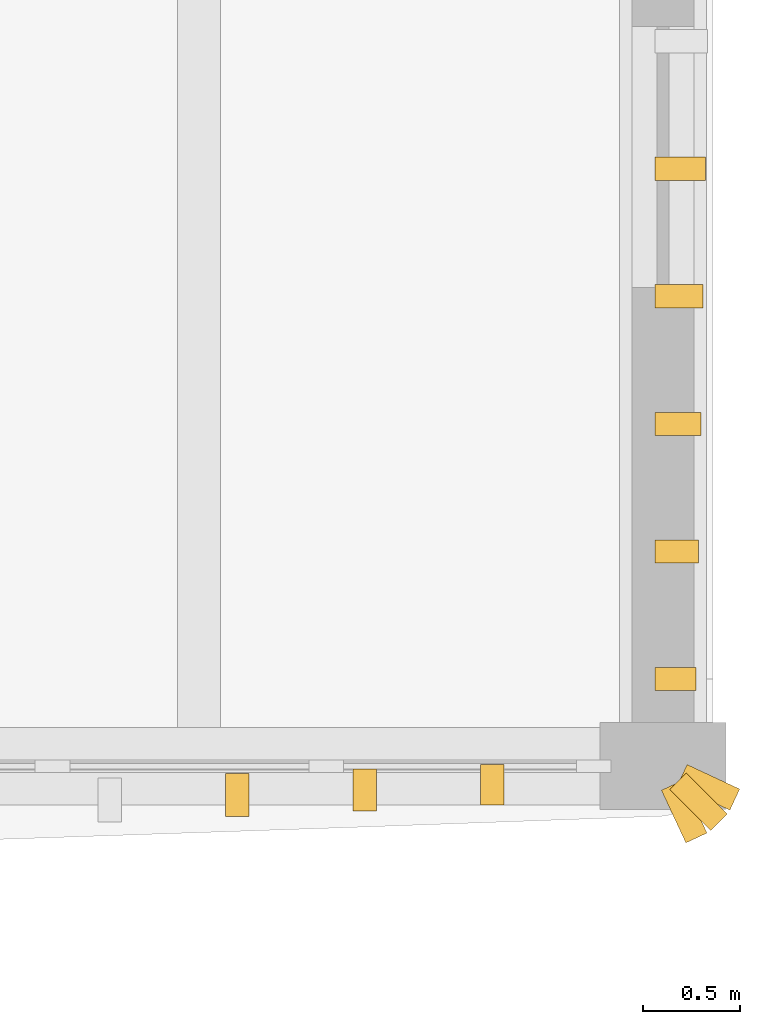
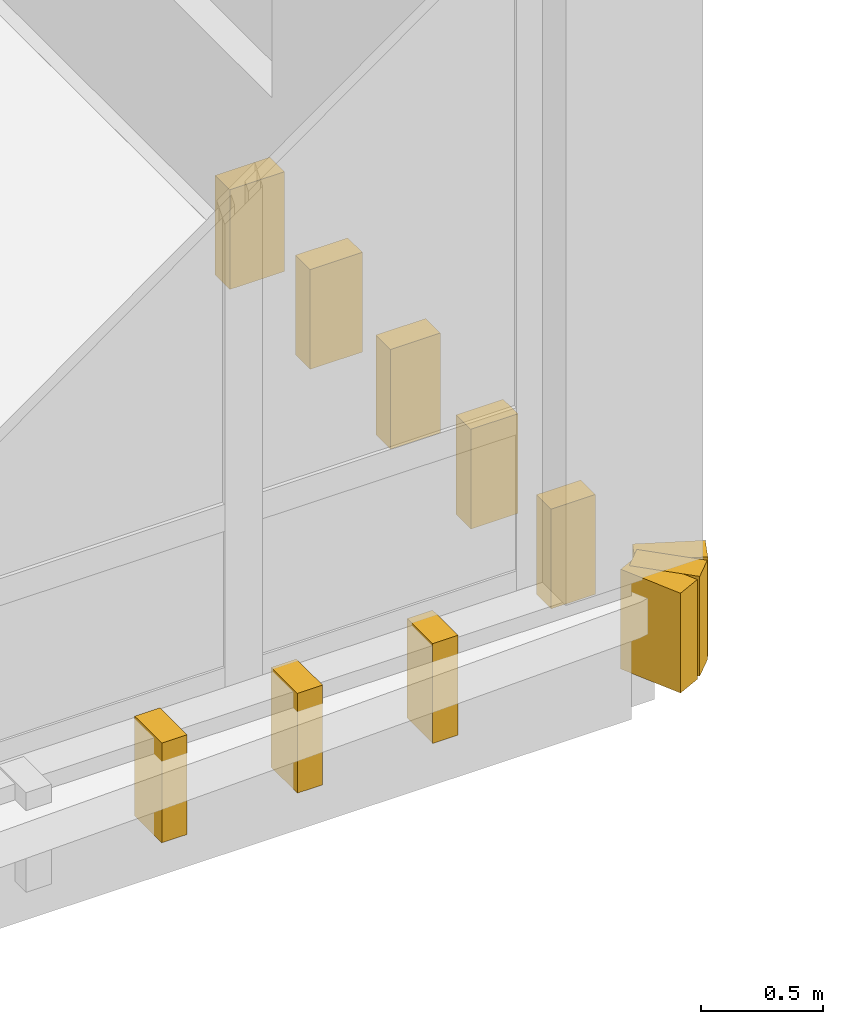
# One storey, part 74 of 76: 11 coverings.
"""IFC4 building model written with IfcOpenShell, lengths in metres."""

from ifc_helpers import new_model, si_unit, direction, frame, origin, origin_2d, place, context, subcontext, project, spatial, rectangle, extrude, material, layer, layer_set, type_object, element, save


model = new_model("IFC4")

# Units and contexts
model_context = context("Model", 3, precision=1e-05, world=origin(), true_north=direction((0.0, 1.0)))
body_context = subcontext(model_context, "Body", "Model", "MODEL_VIEW")
ifc_project = project(units=[si_unit("LENGTHUNIT", "METRE"), si_unit("AREAUNIT", "SQUARE_METRE"), si_unit("VOLUMEUNIT", "CUBIC_METRE"), si_unit("PLANEANGLEUNIT", "RADIAN"), si_unit("MASSUNIT", "GRAM", prefix="KILO")], contexts=[model_context])

# Site, building, storey
site_placement = place(None, origin())
site = spatial("IfcSite", under=ifc_project, at=site_placement, CompositionType="ELEMENT")
building_placement = place(site_placement, origin())
building = spatial("IfcBuilding", under=site, at=building_placement, Name="Dornvale Research Institute", CompositionType="ELEMENT")
storey_placement = place(building_placement, frame((0.0, 0.0, 15.0)))
storey = spatial("IfcBuildingStorey", under=building, at=storey_placement, Name="L03", CompositionType="ELEMENT", Elevation=15.0)

# Coverings
ifc_material = material(Name="Polychrome Glazed Terracotta Visor Rib Ceramic", Category="masonry")
ifc_layer = layer(ifc_material, 0.1201171875)
ifc_layer_set = layer_set([ifc_layer], Name="Polychrome Glazed Terracotta Visor Rib Ceramic")
covering_type = type_object("IfcCoveringType", Name="Covering_VisorBlade_Low", PredefinedType="CLADDING", material=ifc_layer_set)
covering_1_placement = place(storey_placement, frame((175.997802734375, 92.25048828125, -0.489990234375), z_axis=(0.0, 0.0, 1.0), x_axis=(0.0, 1.0, 0.0)))
element("IfcCovering", 1, at=covering_1_placement, inside=storey, type_object=covering_type, Name="L03 V4 canted glazed terracotta visor blade #2341", PredefinedType="CLADDING", context=body_context, shape_type="SweptSolid", body=[
    extrude(rectangle(XDim=0.222900390625, YDim=0.1201171875, at=origin_2d()), origin(), (0.0, 0.0, 1.0), 0.5),
])
covering_2_placement = place(storey_placement, frame((176.657470703125, 92.276611328125, -0.489990234375), z_axis=(0.0, 0.0, 1.0), x_axis=(0.0, 1.0, 0.0)))
element("IfcCovering", 2, at=covering_2_placement, inside=storey, type_object=covering_type, Name="L03 V4 canted glazed terracotta visor blade #2342", PredefinedType="CLADDING", context=body_context, shape_type="SweptSolid", body=[
    extrude(rectangle(XDim=0.216064453125, YDim=0.1201171875, at=origin_2d()), origin(), (0.0, 0.0, 1.0), 0.5),
])
covering_3_placement = place(storey_placement, frame((177.31689453125, 92.3037109375, -0.489990234375), z_axis=(0.0, 0.0, 1.0), x_axis=(0.0, 1.0, 0.0)))
element("IfcCovering", 3, at=covering_3_placement, inside=storey, type_object=covering_type, Name="L03 V4 canted glazed terracotta visor blade #2343", PredefinedType="CLADDING", context=body_context, shape_type="SweptSolid", body=[
    extrude(rectangle(XDim=0.208984375, YDim=0.1201171875, at=origin_2d()), origin(), (0.0, 0.0, 1.0), 0.5),
])
covering_4_placement = place(storey_placement, frame((178.264892578125, 92.85009765625, -0.489990234375), z_axis=(0.0, 0.0, 1.0), x_axis=(1.0, 0.0, 0.0)))
element("IfcCovering", 4, at=covering_4_placement, inside=storey, type_object=covering_type, Name="L03 V4 canted glazed terracotta visor blade #2433", PredefinedType="CLADDING", context=body_context, shape_type="SweptSolid", body=[
    extrude(rectangle(XDim=0.2099609375, YDim=0.1201171875, at=origin_2d()), origin(), (0.0, 0.0, 1.0), 0.5),
])
covering_5_placement = place(storey_placement, frame((178.271484375, 93.510009765625, -0.489990234375), z_axis=(0.0, 0.0, 1.0), x_axis=(1.0, 0.0, 0.0)))
element("IfcCovering", 5, at=covering_5_placement, inside=storey, type_object=covering_type, Name="L03 V4 canted glazed terracotta visor blade #2434", PredefinedType="CLADDING", context=body_context, shape_type="SweptSolid", body=[
    extrude(rectangle(XDim=0.222900390625, YDim=0.1201171875, at=origin_2d()), origin(), (0.0, 0.0, 1.0), 0.5),
])
covering_6_placement = place(storey_placement, frame((178.278076171875, 94.169921875, -0.489990234375), z_axis=(0.0, 0.0, 1.0), x_axis=(1.0, 0.0, 0.0)))
element("IfcCovering", 6, at=covering_6_placement, inside=storey, type_object=covering_type, Name="L03 V4 canted glazed terracotta visor blade #2435", PredefinedType="CLADDING", context=body_context, shape_type="SweptSolid", body=[
    extrude(rectangle(XDim=0.236083984375, YDim=0.1201171875, at=origin_2d()), origin(), (0.0, 0.0, 1.0), 0.5),
])
covering_7_placement = place(storey_placement, frame((178.283935546875, 94.830078125, -0.489990234375), z_axis=(0.0, 0.0, 1.0), x_axis=(1.0, 0.0, 0.0)))
element("IfcCovering", 7, at=covering_7_placement, inside=storey, type_object=covering_type, Name="L03 V4 canted glazed terracotta visor blade #2436", PredefinedType="CLADDING", context=body_context, shape_type="SweptSolid", body=[
    extrude(rectangle(XDim=0.248046875, YDim=0.1201171875, at=origin_2d()), origin(), (0.0, 0.0, 1.0), 0.5),
])
covering_8_placement = place(storey_placement, frame((178.2900390625, 95.489990234375, -0.489990234375), z_axis=(0.0, 0.0, 1.0), x_axis=(1.0, 0.0, 0.0)))
element("IfcCovering", 8, at=covering_8_placement, inside=storey, type_object=covering_type, Name="L03 V4 canted glazed terracotta visor blade #2437", PredefinedType="CLADDING", context=body_context, shape_type="SweptSolid", body=[
    extrude(rectangle(XDim=0.260009765625, YDim=0.1201171875, at=origin_2d()), origin(), (0.0, 0.0, 1.0), 0.5),
])
for number, where, z_axis, x_axis, name in (
    (9, (178.309814453125, 92.164306640625, -0.489990234375), (0.0, 0.0, 1.0), (0.422618261741, -0.906307787037, 0.0), "L03 V4 corner-wrapping visor blade #2524"),
    (10, (178.3837890625, 92.21630859375, -0.489990234375), (0.0, 0.0, 1.0), (0.707106781187, -0.707106781187, 0.0), "L03 V4 corner-wrapping visor blade #2525"),
    (11, (178.435546875, 92.2900390625, -0.489990234375), (0.0, 0.0, 1.0), (0.906307787037, -0.422618261741, 0.0), "L03 V4 corner-wrapping visor blade #2526"),
):
    element("IfcCovering", number, at=place(storey_placement, frame(where, z_axis=z_axis, x_axis=x_axis)), inside=storey, type_object=covering_type, Name=name, PredefinedType="CLADDING", context=body_context, shape_type="SweptSolid", body=[
        extrude(rectangle(XDim=0.300048828125, YDim=0.1201171875, at=origin_2d()), origin(), (0.0, 0.0, 1.0), 0.5),
    ])

save(model, "model.ifc")
